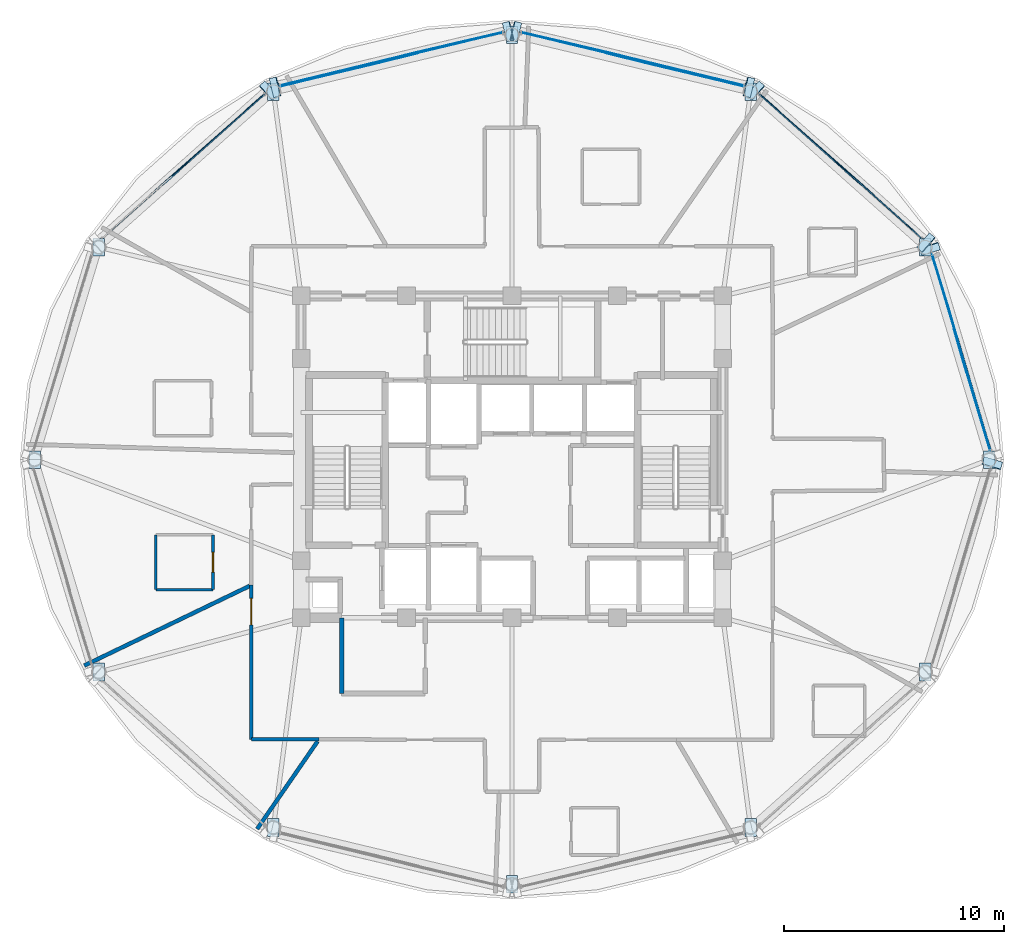
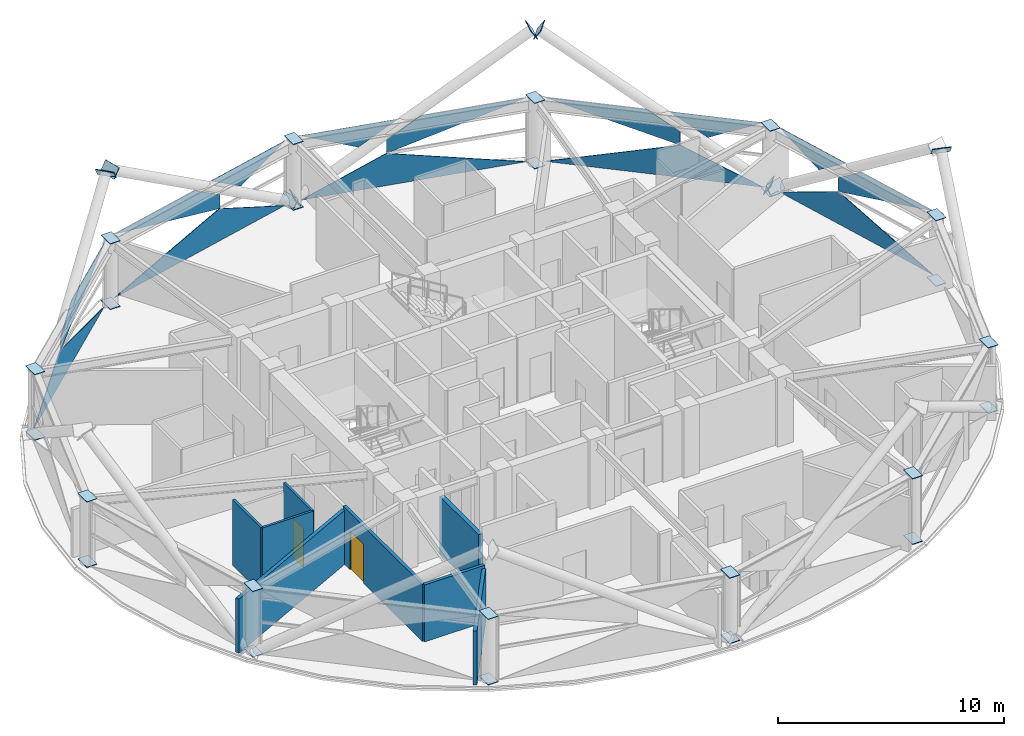
# One storey, part 21 of 29: 47 plates, 8 walls, 2 doors, 2 openings, 5 elements without a shape of their own.
"""IFC4 building model written with IfcOpenShell, lengths in metres."""

import ifcopenshell
import ifcopenshell.guid

model = None  # the IFC model being written
_history = None  # IfcOwnerHistory: only IFC2X3 demands one
_inside = {}  # id of a spatial element -> (the spatial element, [elements in it])
_under = {}  # id of a project, library or spatial element -> (it, [spatial elements below it])
_declared = {}  # id of a project -> (the project, [libraries it declares])
_typed = {}  # id of a type object -> (the type object, [elements of that type])
_made_of = {}  # id of a material, layer set ... -> (it, [elements and type objects made of it])


def new_model(schema):
    """Start an empty IFC model of exactly this schema.

    Asked for "IFC4X3", IfcOpenShell would pick the latest addendum, in which some entities
    have other attributes; the version numbers below select the first issue.
    IFC2X3 requires an IfcOwnerHistory on every rooted entity: one is made here for all.
    """
    global model, _history
    if schema == "IFC4X3":
        model = ifcopenshell.file(schema_version=(4, 3, 0, 0))
    else:
        model = ifcopenshell.file(schema=schema)
    _inside.clear()
    _under.clear()
    _declared.clear()
    _typed.clear()
    _made_of.clear()
    _history = None
    if model.schema == "IFC2X3":
        org = make("IfcOrganization", Name="unknown")
        user = make(
            "IfcPersonAndOrganization",
            ThePerson=make("IfcPerson", FamilyName="unknown"),
            TheOrganization=org,
        )
        app = make(
            "IfcApplication",
            ApplicationDeveloper=org,
            Version="unknown",
            ApplicationFullName="unknown",
            ApplicationIdentifier="unknown",
        )
        _history = make(
            "IfcOwnerHistory",
            OwningUser=user,
            OwningApplication=app,
            ChangeAction="ADDED",
            CreationDate=0,
        )
    return model


def make(cls, **values):
    """One entity of the class cls with the attributes given. An attribute that is None is left unset."""
    return model.create_entity(
        cls, **{name: value for name, value in values.items() if value is not None}
    )


def rooted(cls, **values):
    """An entity with a GlobalId (a new one), such as an element, a storey or a relation."""
    return make(cls, GlobalId=ifcopenshell.guid.new(), OwnerHistory=_history, **values)


def si_unit(unit_type, name, prefix=None):
    """IfcSIUnit, for example si_unit("LENGTHUNIT", "METRE", prefix="MILLI")."""
    return make("IfcSIUnit", UnitType=unit_type, Prefix=prefix, Name=name)


def assignment(units):
    """IfcUnitAssignment: the units of a project."""
    return None if units is None else make("IfcUnitAssignment", Units=units)


def point(xyz):
    """IfcCartesianPoint."""
    return None if xyz is None else make("IfcCartesianPoint", Coordinates=xyz)


def direction(xyz):
    """IfcDirection."""
    return None if xyz is None else make("IfcDirection", DirectionRatios=xyz)


def frame(location, z_axis=None, x_axis=None):
    """IfcAxis2Placement3D, a coordinate frame: its origin and axes. An axis left out is left unset."""
    return make(
        "IfcAxis2Placement3D",
        Location=point(location),
        Axis=direction(z_axis),
        RefDirection=direction(x_axis),
    )


def frame_2d(location, x_axis=None):
    """IfcAxis2Placement2D, a coordinate frame in the plane: its origin and x axis."""
    return make(
        "IfcAxis2Placement2D", Location=point(location), RefDirection=direction(x_axis)
    )


def origin():
    """The frame at (0, 0, 0) with its axes left unset."""
    return frame((0.0, 0.0, 0.0))


def place(relative_to, where):
    """IfcLocalPlacement: puts the frame where relative to a parent placement (None: the world)."""
    return make(
        "IfcLocalPlacement", PlacementRelTo=relative_to, RelativePlacement=where
    )


def context(
    kind, dimensions, precision=None, world=None, true_north=None, identifier=None
):
    """IfcGeometricRepresentationContext, for example the 3D "Model" context."""
    return make(
        "IfcGeometricRepresentationContext",
        ContextIdentifier=identifier,
        ContextType=kind,
        CoordinateSpaceDimension=dimensions,
        Precision=precision,
        WorldCoordinateSystem=world,
        TrueNorth=true_north,
    )


def subcontext(parent, identifier, kind, view, scale=None):
    """IfcGeometricRepresentationSubContext, for example "Body" below "Model"."""
    return make(
        "IfcGeometricRepresentationSubContext",
        ContextIdentifier=identifier,
        ContextType=kind,
        ParentContext=parent,
        TargetScale=scale,
        TargetView=view,
    )


def project(units=None, contexts=None):
    """IfcProject with its units and contexts."""
    return rooted(
        "IfcProject",
        Name="project",
        RepresentationContexts=contexts,
        UnitsInContext=assignment(units),
    )


def spatial(cls, under=None, at=None, **own):
    """A site, building, storey or space (cls), placed at a placement, below another one or the project."""
    s = rooted(cls, ObjectPlacement=at, **own)
    if under is not None:
        _under.setdefault(under.id(), (under, []))[1].append(s)
    return s


def polyline(points):
    """IfcPolyline through the points."""
    return make("IfcPolyline", Points=[point(p) for p in points])


def profile(cls, at=None, kind="AREA", **sizes):
    """A parametric profile (cls). Its sizes go by their IFC names, for example OverallWidth=200.0."""
    return make(cls, ProfileType=kind, Position=at, **sizes)


def rectangle(**sizes):
    """IfcRectangleProfileDef."""
    return profile("IfcRectangleProfileDef", **sizes)


def outline(outer, holes=None, kind="AREA"):
    """IfcArbitraryClosedProfileDef: a profile drawn as a closed curve; with holes, ...WithVoids."""
    if holes is None:
        return make("IfcArbitraryClosedProfileDef", ProfileType=kind, OuterCurve=outer)
    return make(
        "IfcArbitraryProfileDefWithVoids",
        ProfileType=kind,
        OuterCurve=outer,
        InnerCurves=holes,
    )


def extrude(swept, where, along, depth):
    """IfcExtrudedAreaSolid: the profile swept, set in the frame where, extruded along a direction by depth."""
    return make(
        "IfcExtrudedAreaSolid",
        SweptArea=swept,
        Position=where,
        ExtrudedDirection=direction(along),
        Depth=depth,
    )


def shape(context_of_items, identifier, shape_type, items):
    """IfcShapeRepresentation: the items that make up one representation, for example the "Body"."""
    return make(
        "IfcShapeRepresentation",
        ContextOfItems=context_of_items,
        RepresentationIdentifier=identifier,
        RepresentationType=shape_type,
        Items=items,
    )


def material(Name=None, Category=None):
    """IfcMaterial."""
    return make("IfcMaterial", Name=Name, Category=Category)


def layer(
    of_material, thickness, ventilated=None, Name=None, Category=None, Priority=None
):
    """IfcMaterialLayer: one layer of a wall or slab, of a material (None: an air gap)."""
    return make(
        "IfcMaterialLayer",
        Material=of_material,
        LayerThickness=thickness,
        IsVentilated=ventilated,
        Name=Name,
        Category=Category,
        Priority=Priority,
    )


def layer_set(layers, Name=None):
    """IfcMaterialLayerSet."""
    return make("IfcMaterialLayerSet", MaterialLayers=layers, LayerSetName=Name)


def made_of(thing, what):
    """Note that an element or type object is made of a material, layer set ...; save() writes the relation."""
    if what is not None:
        _made_of.setdefault(what.id(), (what, []))[1].append(thing)
    return thing


def type_object(cls, material=None, **own):
    """A type object (cls), such as IfcWallType, which elements share."""
    return made_of(rooted(cls, **own), material)


def element(
    cls,
    number,
    at=None,
    inside=None,
    cuts=None,
    type_object=None,
    material=None,
    context=None,
    identifier="Body",
    shape_type=None,
    held_by="IfcProductDefinitionShape",
    body=None,
    shapes=None,
    **own,
):
    """One element of the class cls, such as IfcWall. Its Tag is "e" and its number.

    at: its placement. inside: the storey or other place that contains it. cuts: it is an
    opening in that element (IfcRelVoidsElement). A single representation is given by context,
    identifier, shape_type and body (its items); several are given by shapes. held_by: the class
    of the entity that holds the representations. save() writes the other relations.
    """
    e = rooted(cls, Tag="e%d" % number, ObjectPlacement=at, **own)
    if body is not None:
        shapes = [shape(context, identifier, shape_type, body)]
    if shapes is not None:
        e.Representation = make(held_by, Representations=shapes)
    if inside is not None:
        _inside.setdefault(inside.id(), (inside, []))[1].append(e)
    if cuts is not None:
        rooted(
            "IfcRelVoidsElement", RelatingBuildingElement=cuts, RelatedOpeningElement=e
        )
    if type_object is not None:
        _typed.setdefault(type_object.id(), (type_object, []))[1].append(e)
    return made_of(e, material)


def fill(opening, filler):
    """IfcRelFillsElement: the door or window that sits in an opening."""
    return rooted(
        "IfcRelFillsElement",
        RelatingOpeningElement=opening,
        RelatedBuildingElement=filler,
    )


def aggregate(whole, parts):
    """IfcRelAggregates: a whole, such as a stair, and the parts it consists of."""
    return rooted("IfcRelAggregates", RelatingObject=whole, RelatedObjects=parts)


def save(model, path):
    """Write the relations noted so far, then the file.

    IfcRelAggregates (storeys below a building ...), IfcRelContainedInSpatialStructure (elements
    in a storey), IfcRelDefinesByType, IfcRelAssociatesMaterial and IfcRelDeclares: one each for
    every whole, place, type object, material and project.
    """
    for whole, parts in _under.values():
        aggregate(whole, parts)
    for where, things in _inside.values():
        rooted(
            "IfcRelContainedInSpatialStructure",
            RelatedElements=things,
            RelatingStructure=where,
        )
    for kind, things in _typed.values():
        rooted("IfcRelDefinesByType", RelatedObjects=things, RelatingType=kind)
    for what, things in _made_of.values():
        rooted("IfcRelAssociatesMaterial", RelatedObjects=things, RelatingMaterial=what)
    for by, libraries in _declared.values():
        rooted("IfcRelDeclares", RelatingContext=by, RelatedDefinitions=libraries)
    model.write(path)


model = new_model("IFC4")

# Units and contexts
model_context = context("Model", 3, precision=1e-05, world=origin(), true_north=direction((0.0, 1.0)))
body_context = subcontext(model_context, "Body", "Model", "MODEL_VIEW")
ifc_project = project(units=[si_unit("LENGTHUNIT", "METRE"), si_unit("AREAUNIT", "SQUARE_METRE"), si_unit("VOLUMEUNIT", "CUBIC_METRE"), si_unit("PLANEANGLEUNIT", "RADIAN"), si_unit("MASSUNIT", "GRAM", prefix="KILO")], contexts=[model_context])

# Site, building, storey
site_placement = place(None, origin())
site = spatial("IfcSite", under=ifc_project, at=site_placement, CompositionType="ELEMENT")
building_placement = place(site_placement, origin())
building = spatial("IfcBuilding", under=site, at=building_placement, Name="Vantalir Tower", CompositionType="ELEMENT")
storey_placement = place(building_placement, frame((0.0, 0.0, 234.89990234375)))
storey = spatial("IfcBuildingStorey", under=building, at=storey_placement, Name="L59", CompositionType="ELEMENT", Elevation=234.89990234375)

# Curtain wall, plates
ifc_material_1 = material(Name="Champagne-silver PVDF aluminium and double-silver Low-E glass", Category="aluminium")
ifc_layer_1 = layer(ifc_material_1, 0.2099609375)
ifc_layer_set_1 = layer_set([ifc_layer_1], Name="Champagne-silver PVDF aluminium and double-silver Low-E glass")
curtain_wall_type = type_object("IfcCurtainWallType", Name="CW-DIAMOND-Z3", PredefinedType="USERDEFINED", material=ifc_layer_set_1)
curtain_wall_1_placement = place(storey_placement, origin())
curtain_wall_1 = element("IfcCurtainWall", 1, at=curtain_wall_1_placement, inside=storey, type_object=curtain_wall_type, Name="L59 Quilted Pyramid-Diamond Curtain Wall S01", ObjectType="UNITISED CURTAIN WALL", PredefinedType="USERDEFINED")
ifc_material_2 = material(Name="Double-silver Low-E acoustic glass IGU", Category="glass")
ifc_layer_2 = layer(ifc_material_2, 0.031982421875)
ifc_layer_set_2 = layer_set([ifc_layer_2], Name="Double-silver Low-E acoustic glass IGU")
plate_type_1 = type_object("IfcPlateType", Name="CWP-IGU-32", PredefinedType="CURTAIN_PANEL", material=ifc_layer_set_2)
plate_1_placement = place(storey_placement, frame((53.28564453125, 25.406982421875, 0.046875), z_axis=(-0.957558411208, -0.287910660697, 0.013760108324), x_axis=(-0.287937576685, 0.957649179632, 2.6131008e-05)))
plate_1 = element("IfcPlate", 2, at=plate_1_placement, type_object=plate_type_1, Name="CW-L59-S01 Pyramid Diamond Facet 1L", PredefinedType="CURTAIN_PANEL", context=body_context, shape_type="SweptSolid", body=[
    extrude(outline(polyline([(0.0, 0.0), (9.34294709931114, 6.451002926288751e-18), (5.787888647461052, -1.7255980653286305), (0.0, 0.0)])), origin(), (0.0, 0.0, -1.0), 0.031982421875),
])
plate_2_placement = place(storey_placement, frame((53.28564453125, 25.406982421875, 3.5234375), z_axis=(0.957554424026, 0.287920028437, 0.013841324096), x_axis=(-0.287946878182, 0.957646381646, -5.5366691e-05)))
plate_2 = element("IfcPlate", 3, at=plate_2_placement, type_object=plate_type_1, Name="CW-L59-S01 Pyramid Diamond Facet 2U", PredefinedType="CURTAIN_PANEL", context=body_context, shape_type="SweptSolid", body=[
    extrude(outline(polyline([(0.0, 0.0), (4.388276431667521, -7.047314121155779e-19), (5.7879041289574085, -0.9829280015704106), (5.787938871859682, -1.7256737576179273), (0.0, 0.0)])), origin(), (0.0, 0.0, -1.0), 0.031982421875),
])
plate_3_placement = place(storey_placement, frame((51.78125, 30.53515625, 3.523681640625), z_axis=(0.957558593198, 0.287908595826, 0.013790614263), x_axis=(-0.287935977109, 0.957649660933, 0.0)))
plate_3 = element("IfcPlate", 4, at=plate_3_placement, type_object=plate_type_1, Name="CW-L59-S01 Pyramid Diamond Facet 2U Infill Light", PredefinedType="CURTAIN_PANEL", context=body_context, shape_type="SweptSolid", body=[
    extrude(outline(polyline([(0.0, 0.0), (3.998691650339341, 1.734723475976807e-18), (1.6339776898900364, -1.1478142295678426), (0.0, 0.0)])), origin(), (0.0, 0.0, -1.0), 0.031982421875),
])
aggregate(curtain_wall_1, [plate_1, plate_2, plate_3])

curtain_wall_2_placement = place(storey_placement, origin())
curtain_wall_2 = element("IfcCurtainWall", 5, at=curtain_wall_2_placement, inside=storey, type_object=curtain_wall_type, Name="L59 Quilted Pyramid-Diamond Curtain Wall S02", ObjectType="UNITISED CURTAIN WALL", PredefinedType="USERDEFINED")
plate_4_placement = place(storey_placement, frame((50.15576171875, 35.043701171875, 0.046875), z_axis=(-0.665236755959, -0.746508962569, 0.013580402283), x_axis=(-0.74657803322, 0.665297857884, -2.4682713e-05)))
plate_4 = element("IfcPlate", 6, at=plate_4_placement, type_object=plate_type_1, Name="CW-L59-S02 Pyramid Diamond Facet 1L", PredefinedType="CURTAIN_PANEL", context=body_context, shape_type="SweptSolid", body=[
    extrude(outline(polyline([(0.0, 0.0), (9.89115826583857, 6.911788849595091e-18), (3.7592573963852636, -1.7260820430112827), (0.0, 0.0)])), origin(), (0.0, 0.0, -1.0), 0.031982421875),
])
plate_5_placement = place(storey_placement, frame((46.24658203125, 38.52734375, 3.5234375), z_axis=(0.665225475626, 0.74651971664, 0.013541759334), x_axis=(-0.746588173412, 0.665286479136, -8.3778e-08)))
plate_5 = element("IfcPlate", 7, at=plate_5_placement, type_object=plate_type_1, Name="CW-L59-S02 Pyramid Diamond Facet 2U", PredefinedType="CURTAIN_PANEL", context=body_context, shape_type="SweptSolid", body=[
    extrude(outline(polyline([(0.0, 0.0), (4.6549906338773, 0.0), (-1.4768678452001516, -1.7262326273549575), (-1.4766369809513376, -0.9844657831319985), (0.0, 0.0)])), origin(), (0.0, 0.0, -1.0), 0.031982421875),
])
plate_6_placement = place(storey_placement, frame((50.1796875, 35.070556640625, 3.523681640625), z_axis=(0.665239994323, 0.746503102219, 0.013742937474), x_axis=(-0.746574132311, 0.665302233316, 5.7517268e-05)))
plate_6 = element("IfcPlate", 8, at=plate_6_placement, type_object=plate_type_1, Name="CW-L59-S02 Pyramid Diamond Facet 2U Infill Light", PredefinedType="CURTAIN_PANEL", context=body_context, shape_type="SweptSolid", body=[
    extrude(outline(polyline([(0.0, 0.0), (4.2446492255091055, 6.1257422745431e-18), (2.5134397148592487, -1.154062149885648), (0.0, 0.0)])), origin(), (0.0, 0.0, -1.0), 0.031982421875),
])
aggregate(curtain_wall_2, [plate_4, plate_5, plate_6])

curtain_wall_3_placement = place(storey_placement, origin())
curtain_wall_3 = element("IfcCurtainWall", 9, at=curtain_wall_3_placement, inside=storey, type_object=curtain_wall_type, Name="L59 Quilted Pyramid-Diamond Curtain Wall S03", ObjectType="UNITISED CURTAIN WALL", PredefinedType="USERDEFINED")
plate_7_placement = place(storey_placement, frame((42.040771484375, 42.005615234375, 0.046630859375), z_axis=(-0.23227086659, -0.972552131401, 0.013877904746), x_axis=(-0.972645724011, 0.232293553536, 2.3447416e-05)))
plate_7 = element("IfcPlate", 10, at=plate_7_placement, type_object=plate_type_1, Name="CW-L59-S03 Pyramid Diamond Facet 1L", PredefinedType="CURTAIN_PANEL", context=body_context, shape_type="SweptSolid", body=[
    extrude(outline(polyline([(0.0, 0.0), (10.412261274836561, 3.848917712323541e-18), (6.450611114639487, -1.7263333603476525), (0.0, 0.0)])), origin(), (0.0, 0.0, -1.0), 0.031982421875),
])
plate_8_placement = place(storey_placement, frame((42.040771484375, 42.005615234375, 3.523681640625), z_axis=(0.232291461717, 0.972548459607, 0.013790233126), x_axis=(-0.972640787118, 0.232314219874, -4.9782946e-05)))
plate_8 = element("IfcPlate", 11, at=plate_8_placement, type_object=plate_type_1, Name="CW-L59-S03 Pyramid Diamond Facet 2U", PredefinedType="CURTAIN_PANEL", context=body_context, shape_type="SweptSolid", body=[
    extrude(outline(polyline([(0.0, 0.0), (4.908716553637387, -5.963111948670274e-19), (6.4506691493381725, -0.9802408287929192), (6.45065707952444, -1.726161598884455), (0.0, 0.0)])), origin(), (0.0, 0.0, -1.0), 0.031982421875),
])
plate_9_placement = place(storey_placement, frame((36.27783203125, 43.4189453125, 3.52392578125), z_axis=(0.232250715399, 0.972556540945, 0.013906108766), x_axis=(-0.972650413475, 0.232273912, -5.4511596e-05)))
plate_9 = element("IfcPlate", 12, at=plate_9_placement, type_object=plate_type_1, Name="CW-L59-S03 Pyramid Diamond Facet 2U Infill Light", PredefinedType="CURTAIN_PANEL", context=body_context, shape_type="SweptSolid", body=[
    extrude(outline(polyline([(0.0, 0.0), (4.478691533489863, -1.111307226797642e-18), (1.8214395537930843, -1.1579716661312722), (0.0, 0.0)])), origin(), (0.0, 0.0, -1.0), 0.031982421875),
])
aggregate(curtain_wall_3, [plate_7, plate_8, plate_9])

curtain_wall_4_placement = place(storey_placement, origin())
curtain_wall_4 = element("IfcCurtainWall", 13, at=curtain_wall_4_placement, inside=storey, type_object=curtain_wall_type, Name="L59 Quilted Pyramid-Diamond Curtain Wall S04", ObjectType="UNITISED CURTAIN WALL", PredefinedType="USERDEFINED")
plate_10_placement = place(storey_placement, frame((31.086669921875, 44.42431640625, 0.046875), z_axis=(0.23227086659, -0.972552131401, 0.013877904746), x_axis=(-0.972645724011, -0.232293553536, -2.3447416e-05)))
plate_10 = element("IfcPlate", 14, at=plate_10_placement, type_object=plate_type_1, Name="CW-L59-S04 Pyramid Diamond Facet 1L", PredefinedType="CURTAIN_PANEL", context=body_context, shape_type="SweptSolid", body=[
    extrude(outline(polyline([(0.0, 0.0), (10.412261274836561, -3.848917712323541e-18), (3.9616501601970775, -1.7263333603476525), (0.0, 0.0)])), origin(), (0.0, 0.0, -1.0), 0.031982421875),
])
plate_11_placement = place(storey_placement, frame((25.733642578125, 43.14599609375, 3.5234375), z_axis=(-0.232291461717, 0.972548459607, 0.013790233126), x_axis=(-0.972640787118, -0.232314219874, 4.9782946e-05)))
plate_11 = element("IfcPlate", 15, at=plate_11_placement, type_object=plate_type_1, Name="CW-L59-S04 Pyramid Diamond Facet 2U", PredefinedType="CURTAIN_PANEL", context=body_context, shape_type="SweptSolid", body=[
    extrude(outline(polyline([(0.0, 0.0), (4.908716553637387, 5.963111948670274e-19), (-1.5419405258870538, -1.726161598884455), (-1.5419525957007851, -0.9802408287929192), (0.0, 0.0)])), origin(), (0.0, 0.0, -1.0), 0.031982421875),
])
plate_12_placement = place(storey_placement, frame((31.078369140625, 44.459228515625, 3.523681640625), z_axis=(-0.232250715399, 0.972556540945, 0.013906108766), x_axis=(-0.972650413475, -0.232273912, 5.4511596e-05)))
plate_12 = element("IfcPlate", 16, at=plate_12_placement, type_object=plate_type_1, Name="CW-L59-S04 Pyramid Diamond Facet 2U Infill Light", PredefinedType="CURTAIN_PANEL", context=body_context, shape_type="SweptSolid", body=[
    extrude(outline(polyline([(0.0, 0.0), (4.478691533489863, 1.111307226797642e-18), (2.657251979696779, -1.1579716661312722), (0.0, 0.0)])), origin(), (0.0, 0.0, -1.0), 0.031982421875),
])
aggregate(curtain_wall_4, [plate_10, plate_11, plate_12])

curtain_wall_5_placement = place(storey_placement, origin())
curtain_wall_5 = element("IfcCurtainWall", 17, at=curtain_wall_5_placement, inside=storey, type_object=curtain_wall_type, Name="L59 Quilted Pyramid-Diamond Curtain Wall S05", ObjectType="UNITISED CURTAIN WALL", PredefinedType="USERDEFINED")
plate_13_placement = place(storey_placement, frame((20.228759765625, 41.624267578125, 0.046630859375), z_axis=(0.665236755959, -0.746508962569, 0.013580402283), x_axis=(-0.74657803322, -0.665297857884, 2.4682713e-05)))
plate_13 = element("IfcPlate", 18, at=plate_13_placement, type_object=plate_type_1, Name="CW-L59-S05 Pyramid Diamond Facet 1L", PredefinedType="CURTAIN_PANEL", context=body_context, shape_type="SweptSolid", body=[
    extrude(outline(polyline([(0.0, 0.0), (9.89115826583857, -6.911788849595091e-18), (6.131900869453306, -1.7260820430112827), (0.0, 0.0)])), origin(), (0.0, 0.0, -1.0), 0.031982421875),
])
plate_14_placement = place(storey_placement, frame((20.228759765625, 41.624267578125, 3.5234375), z_axis=(-0.665225475626, 0.74651971664, 0.013541759334), x_axis=(-0.746588173412, -0.665286479136, 8.3778e-08)))
plate_14 = element("IfcPlate", 19, at=plate_14_placement, type_object=plate_type_1, Name="CW-L59-S05 Pyramid Diamond Facet 2U", PredefinedType="CURTAIN_PANEL", context=body_context, shape_type="SweptSolid", body=[
    extrude(outline(polyline([(0.0, 0.0), (4.6549906338773, 0.0), (6.131627614828638, -0.9844657831319985), (6.131858479077452, -1.7262326273549577), (0.0, 0.0)])), origin(), (0.0, 0.0, -1.0), 0.031982421875),
])
aggregate(curtain_wall_5, [plate_13, plate_14])

# Plates
ifc_material_3 = material(Name="Steel S460", Category="steel")
ifc_layer_3 = layer(ifc_material_3, 0.035888671875)
ifc_layer_set_3 = layer_set([ifc_layer_3], Name="Steel S460")
plate_type_2 = type_object("IfcPlateType", Name="PLT-KN-Z2", PredefinedType="USERDEFINED", material=ifc_layer_set_3)
plate_15_placement = place(storey_placement, frame((50.50390625, 35.32275390625, -0.03466796875), z_axis=(-0.621082817817, 0.553458415877, 0.55492334183), x_axis=(-0.665293215937, -0.746582170178, 0.0)))
element("IfcPlate", 20, at=plate_15_placement, inside=storey, type_object=plate_type_2, Name="Node Cap Plate MEM-DG-L59-R04L Start", ObjectType="FLANGE_PLATE", PredefinedType="USERDEFINED", context=body_context, shape_type="SweptSolid", body=[
    extrude(outline(polyline([(0.0, 0.0), (0.8799867558024528, 0.0), (0.8800121558913103, 0.5799026475163249), (2.5400088857457925e-05, 0.5799026475163249), (0.0, 0.0)])), origin(), (0.0, 0.0, -1.0), 0.035888671875),
])
plate_16_placement = place(storey_placement, frame((42.745849609375, 42.236328125, 6.892333984375), z_axis=(-0.62117955656, 0.553544621564, 0.554729042371), x_axis=(-0.665293215937, -0.746582170178, 0.0)))
element("IfcPlate", 21, at=plate_16_placement, inside=storey, type_object=plate_type_2, Name="Node Cap Plate MEM-DG-L59-R04L End", ObjectType="FLANGE_PLATE", PredefinedType="USERDEFINED", context=body_context, shape_type="SweptSolid", body=[
    extrude(outline(polyline([(0.0, 0.0), (0.8799867558024528, 2.7755575615628914e-17), (0.8800121558913103, 0.5801057642854794), (2.540008885744306e-05, 0.5801057642854794), (0.0, 0.0)])), origin(), (0.0, 0.0, -1.0), 0.035888671875),
])
plate_17_placement = place(storey_placement, frame((50.1533203125, 34.2958984375, -0.026123046875), z_axis=(0.235621882188, -0.783590305696, 0.574863950386), x_axis=(0.957642842649, 0.287958653149, 0.0)))
element("IfcPlate", 22, at=plate_17_placement, inside=storey, type_object=plate_type_2, Name="Node Cap Plate MEM-DG-L59-R04R Start", ObjectType="FLANGE_PLATE", PredefinedType="USERDEFINED", context=body_context, shape_type="SweptSolid", body=[
    extrude(outline(polyline([(0.0, 0.0), (0.8800498473614676, 2.7755575615628914e-17), (0.8801221816284537, 0.5800304926170371), (7.233426698608567e-05, 0.5800304926170371), (0.0, 0.0)])), origin(), (0.0, 0.0, -1.0), 0.035888671875),
])
plate_18_placement = place(storey_placement, frame((31.059326171875, 44.8701171875, -0.042236328125), z_axis=(-0.820799205877, -0.195952348922, 0.536555067615), x_axis=(0.232208086854, -0.972666132031, 0.0)))
element("IfcPlate", 23, at=plate_18_placement, inside=storey, type_object=plate_type_2, Name="Node Cap Plate MEM-DG-L59-R10L Start", ObjectType="FLANGE_PLATE", PredefinedType="USERDEFINED", context=body_context, shape_type="SweptSolid", body=[
    extrude(outline(polyline([(0.0, 0.0), (0.8800111395499287, 0.0), (0.8800181836460521, 0.5800711891025546), (7.0440961233847466e-06, 0.5800711891025546), (0.0, 0.0)])), origin(), (0.0, 0.0, -1.0), 0.035888671875),
])
plate_19_placement = place(storey_placement, frame((20.449951171875, 42.33642578125, 6.892333984375), z_axis=(-0.820862900959, -0.196084620523, 0.536409283498), x_axis=(0.232377070851, -0.972625772439, 6.1074625e-05)))
element("IfcPlate", 24, at=plate_19_placement, inside=storey, type_object=plate_type_2, Name="Node Cap Plate MEM-DG-L59-R10L End", ObjectType="FLANGE_PLATE", PredefinedType="USERDEFINED", context=body_context, shape_type="SweptSolid", body=[
    extrude(outline(polyline([(0.0, 0.0), (0.8800678573106301, 0.0), (0.8801021387477319, 0.579943801886197), (9.101412041512781e-05, 0.5800711733505308), (0.0, 0.0)])), origin(), (0.0, 0.0, -1.0), 0.035888671875),
])
plate_20_placement = place(storey_placement, frame((31.736328125, 44.01416015625, -0.042236328125), z_axis=(0.820799205877, -0.195952348922, 0.536555067615), x_axis=(0.232208086854, 0.972666132031, 0.0)))
element("IfcPlate", 25, at=plate_20_placement, inside=storey, type_object=plate_type_2, Name="Node Cap Plate MEM-DG-L59-R10R Start", ObjectType="FLANGE_PLATE", PredefinedType="USERDEFINED", context=body_context, shape_type="SweptSolid", body=[
    extrude(outline(polyline([(0.0, 0.0), (0.8800111395499287, 0.0), (0.8800040954538053, 0.5800711891025546), (-7.0440961233847466e-06, 0.5800711891025546), (0.0, 0.0)])), origin(), (0.0, 0.0, -1.0), 0.035888671875),
])
plate_21_placement = place(storey_placement, frame((42.345458984375, 41.48046875, 6.892333984375), z_axis=(0.820862900959, -0.196084620523, 0.536409283498), x_axis=(0.232377070851, 0.972625772439, -6.1074625e-05)))
element("IfcPlate", 26, at=plate_21_placement, inside=storey, type_object=plate_type_2, Name="Node Cap Plate MEM-DG-L59-R10R End", ObjectType="FLANGE_PLATE", PredefinedType="USERDEFINED", context=body_context, shape_type="SweptSolid", body=[
    extrude(outline(polyline([(0.0, 0.0), (0.8800678573106301, 0.0), (0.879976843190215, 0.5800711733505307), (-3.428143710181531e-05, 0.579943801886197), (0.0, 0.0)])), origin(), (0.0, 0.0, -1.0), 0.035888671875),
])
plate_22_placement = place(storey_placement, frame((20.839599609375, 41.579345703125, 6.892333984375), z_axis=(0.62117955656, 0.553544621564, 0.554729042371), x_axis=(-0.665293215937, 0.746582170178, 0.0)))
element("IfcPlate", 27, at=plate_22_placement, inside=storey, type_object=plate_type_2, Name="Node Cap Plate MEM-DG-L59-R16R End", ObjectType="FLANGE_PLATE", PredefinedType="USERDEFINED", context=body_context, shape_type="SweptSolid", body=[
    extrude(outline(polyline([(0.0, 0.0), (0.8799867558024528, -2.7755575615628914e-17), (0.8799613557135955, 0.5801057642854794), (-2.540008885744306e-05, 0.5801057642854794), (0.0, 0.0)])), origin(), (0.0, 0.0, -1.0), 0.035888671875),
])
plate_23_placement = place(storey_placement, frame((53.83203125, 24.882568359375, 6.892333984375), z_axis=(0.235568166565, 0.783675688578, 0.574769566029), x_axis=(-0.957678429047, 0.287840276242, 4.371318e-05)))
element("IfcPlate", 28, at=plate_23_placement, inside=storey, type_object=plate_type_2, Name="Node Cap Plate MEM-DG-L59-R34L End", ObjectType="FLANGE_PLATE", PredefinedType="USERDEFINED", context=body_context, shape_type="SweptSolid", body=[
    extrude(outline(polyline([(0.0, 0.0), (0.8797457580821373, -2.7755575615628914e-17), (0.8800394686335802, 0.579936487526554), (-1.0371163715546277e-05, 0.580030493175672), (0.0, 0.0)])), origin(), (0.0, 0.0, -1.0), 0.035888671875),
])
ifc_layer_4 = layer(ifc_material_3, 0.031982421875)
ifc_layer_set_4 = layer_set([ifc_layer_4], Name="Steel S460")
plate_type_3 = type_object("IfcPlateType", Name="PLT-KN-Z3", PredefinedType="USERDEFINED", material=ifc_layer_set_4)
for number, where, z_axis, x_axis, name in (
    (29, (52.9580078125, 25.39990234375, 3.593994140625), (0.0, 0.0, 1.0), (0.0, -1.0, 0.0), "L59 Ring Column Top Cap RC01"),
    (30, (52.9580078125, 25.39990234375, 0.052978515625), (0.0, 0.0, 1.0), (0.0, -1.0, 0.0), "L59 Ring Column Base Cap RC01"),
    (31, (50.048095703125, 35.06591796875, 3.593994140625), (0.0, 0.0, 1.0), (0.0, -1.0, 0.0), "L59 Ring Column Top Cap RC02"),
    (32, (50.048095703125, 35.06591796875, 0.052978515625), (0.0, 0.0, 1.0), (0.0, -1.0, 0.0), "L59 Ring Column Base Cap RC02"),
):
    element("IfcPlate", number, at=place(storey_placement, frame(where, z_axis=z_axis, x_axis=x_axis)), inside=storey, type_object=plate_type_3, Name=name, ObjectType="FLANGE_PLATE", PredefinedType="USERDEFINED", context=body_context, shape_type="SweptSolid", body=[
        extrude(outline(polyline([(0.0, 0.0), (0.7998046875, 0.0), (0.7998046875, 0.52001953125), (0.0, 0.52001953125), (0.0, 0.0)])), origin(), (0.0, 0.0, -1.0), 0.031982421875),
    ])
for number, where, z_axis, x_axis, name in (
    (33, (42.09912109375, 42.14306640625, 3.593994140625), (0.0, 0.0, 1.0), (0.0, -1.0, 0.0), "L59 Ring Column Top Cap RC03"),
    (34, (42.09912109375, 42.14306640625, 0.052978515625), (0.0, 0.0, 1.0), (0.0, -1.0, 0.0), "L59 Ring Column Base Cap RC03"),
):
    element("IfcPlate", number, at=place(storey_placement, frame(where, z_axis=z_axis, x_axis=x_axis)), inside=storey, type_object=plate_type_3, Name=name, ObjectType="FLANGE_PLATE", PredefinedType="USERDEFINED", context=body_context, shape_type="SweptSolid", body=[
        extrude(outline(polyline([(0.0, 0.0), (0.800048828125, 0.0), (0.800048828125, 0.519775390625), (0.0, 0.519775390625), (0.0, 0.0)])), origin(), (0.0, 0.0, -1.0), 0.031982421875),
    ])
for number, where, z_axis, x_axis, name in (
    (35, (31.239990234375, 44.73291015625, 3.593994140625), (0.0, 0.0, 1.0), (0.0, -1.0, 0.0), "L59 Ring Column Top Cap RC04"),
    (36, (31.239990234375, 44.73291015625, 0.052978515625), (0.0, 0.0, 1.0), (0.0, -1.0, 0.0), "L59 Ring Column Base Cap RC04"),
):
    element("IfcPlate", number, at=place(storey_placement, frame(where, z_axis=z_axis, x_axis=x_axis)), inside=storey, type_object=plate_type_3, Name=name, ObjectType="FLANGE_PLATE", PredefinedType="USERDEFINED", context=body_context, shape_type="SweptSolid", body=[
        extrude(outline(polyline([(0.0, 0.0), (0.7998046875, 0.0), (0.7998046875, 0.52001953125), (0.0, 0.52001953125), (0.0, 0.0)])), origin(), (0.0, 0.0, -1.0), 0.031982421875),
    ])
for number, where, z_axis, x_axis, name in (
    (37, (20.381103515625, 42.14306640625, 3.593994140625), (0.0, 0.0, 1.0), (0.0, -1.0, 0.0), "L59 Ring Column Top Cap RC05"),
    (38, (20.381103515625, 42.14306640625, 0.052978515625), (0.0, 0.0, 1.0), (0.0, -1.0, 0.0), "L59 Ring Column Base Cap RC05"),
):
    element("IfcPlate", number, at=place(storey_placement, frame(where, z_axis=z_axis, x_axis=x_axis)), inside=storey, type_object=plate_type_3, Name=name, ObjectType="FLANGE_PLATE", PredefinedType="USERDEFINED", context=body_context, shape_type="SweptSolid", body=[
        extrude(outline(polyline([(0.0, 0.0), (0.800048828125, 0.0), (0.800048828125, 0.519775390625), (0.0, 0.519775390625), (0.0, 0.0)])), origin(), (0.0, 0.0, -1.0), 0.031982421875),
    ])
for number, where, z_axis, x_axis, name in (
    (39, (12.431884765625, 35.06591796875, 3.593994140625), (0.0, 0.0, 1.0), (0.0, -1.0, 0.0), "L59 Ring Column Top Cap RC06"),
    (40, (12.431884765625, 35.06591796875, 0.052978515625), (0.0, 0.0, 1.0), (0.0, -1.0, 0.0), "L59 Ring Column Base Cap RC06"),
    (41, (9.52197265625, 25.39990234375, 3.593994140625), (0.0, 0.0, 1.0), (0.0, -1.0, 0.0), "L59 Ring Column Top Cap RC07"),
    (42, (9.52197265625, 25.39990234375, 0.052978515625), (0.0, 0.0, 1.0), (0.0, -1.0, 0.0), "L59 Ring Column Base Cap RC07"),
    (43, (12.431884765625, 15.73291015625, 3.593994140625), (0.0, 0.0, 1.0), (0.0, -1.0, 0.0), "L59 Ring Column Top Cap RC08"),
    (44, (12.431884765625, 15.73291015625, 0.052978515625), (0.0, 0.0, 1.0), (0.0, -1.0, 0.0), "L59 Ring Column Base Cap RC08"),
):
    element("IfcPlate", number, at=place(storey_placement, frame(where, z_axis=z_axis, x_axis=x_axis)), inside=storey, type_object=plate_type_3, Name=name, ObjectType="FLANGE_PLATE", PredefinedType="USERDEFINED", context=body_context, shape_type="SweptSolid", body=[
        extrude(outline(polyline([(0.0, 0.0), (0.7998046875, 0.0), (0.7998046875, 0.52001953125), (0.0, 0.52001953125), (0.0, 0.0)])), origin(), (0.0, 0.0, -1.0), 0.031982421875),
    ])
for number, where, z_axis, x_axis, name in (
    (45, (20.381103515625, 8.656982421875, 3.593994140625), (0.0, 0.0, 1.0), (0.0, -1.0, 0.0), "L59 Ring Column Top Cap RC09"),
    (46, (20.381103515625, 8.656982421875, 0.052978515625), (0.0, 0.0, 1.0), (0.0, -1.0, 0.0), "L59 Ring Column Base Cap RC09"),
):
    element("IfcPlate", number, at=place(storey_placement, frame(where, z_axis=z_axis, x_axis=x_axis)), inside=storey, type_object=plate_type_3, Name=name, ObjectType="FLANGE_PLATE", PredefinedType="USERDEFINED", context=body_context, shape_type="SweptSolid", body=[
        extrude(outline(polyline([(0.0, 0.0), (0.800048828125, 0.0), (0.800048828125, 0.519775390625), (0.0, 0.519775390625), (0.0, 0.0)])), origin(), (0.0, 0.0, -1.0), 0.031982421875),
    ])
for number, where, z_axis, x_axis, name in (
    (47, (31.239990234375, 6.06689453125, 3.593994140625), (0.0, 0.0, 1.0), (0.0, -1.0, 0.0), "L59 Ring Column Top Cap RC10"),
    (48, (31.239990234375, 6.06689453125, 0.052978515625), (0.0, 0.0, 1.0), (0.0, -1.0, 0.0), "L59 Ring Column Base Cap RC10"),
):
    element("IfcPlate", number, at=place(storey_placement, frame(where, z_axis=z_axis, x_axis=x_axis)), inside=storey, type_object=plate_type_3, Name=name, ObjectType="FLANGE_PLATE", PredefinedType="USERDEFINED", context=body_context, shape_type="SweptSolid", body=[
        extrude(outline(polyline([(0.0, 0.0), (0.7998046875, 0.0), (0.7998046875, 0.52001953125), (0.0, 0.52001953125), (0.0, 0.0)])), origin(), (0.0, 0.0, -1.0), 0.031982421875),
    ])
for number, where, z_axis, x_axis, name in (
    (49, (42.09912109375, 8.656982421875, 3.593994140625), (0.0, 0.0, 1.0), (0.0, -1.0, 0.0), "L59 Ring Column Top Cap RC11"),
    (50, (42.09912109375, 8.656982421875, 0.052978515625), (0.0, 0.0, 1.0), (0.0, -1.0, 0.0), "L59 Ring Column Base Cap RC11"),
):
    element("IfcPlate", number, at=place(storey_placement, frame(where, z_axis=z_axis, x_axis=x_axis)), inside=storey, type_object=plate_type_3, Name=name, ObjectType="FLANGE_PLATE", PredefinedType="USERDEFINED", context=body_context, shape_type="SweptSolid", body=[
        extrude(outline(polyline([(0.0, 0.0), (0.800048828125, 0.0), (0.800048828125, 0.519775390625), (0.0, 0.519775390625), (0.0, 0.0)])), origin(), (0.0, 0.0, -1.0), 0.031982421875),
    ])
for number, where, z_axis, x_axis, name in (
    (51, (50.048095703125, 15.73291015625, 3.593994140625), (0.0, 0.0, 1.0), (0.0, -1.0, 0.0), "L59 Ring Column Top Cap RC12"),
    (52, (50.048095703125, 15.73291015625, 0.052978515625), (0.0, 0.0, 1.0), (0.0, -1.0, 0.0), "L59 Ring Column Base Cap RC12"),
):
    element("IfcPlate", number, at=place(storey_placement, frame(where, z_axis=z_axis, x_axis=x_axis)), inside=storey, type_object=plate_type_3, Name=name, ObjectType="FLANGE_PLATE", PredefinedType="USERDEFINED", context=body_context, shape_type="SweptSolid", body=[
        extrude(outline(polyline([(0.0, 0.0), (0.7998046875, 0.0), (0.7998046875, 0.52001953125), (0.0, 0.52001953125), (0.0, 0.0)])), origin(), (0.0, 0.0, -1.0), 0.031982421875),
    ])

# Walls
ifc_material_4 = material(Name="Moisture-resistant en-suite partition", Category="gypsum")
ifc_layer_5 = layer(ifc_material_4, 0.125)
ifc_layer_set_5 = layer_set([ifc_layer_5], Name="Moisture-resistant en-suite partition")
wall_type_1 = type_object("IfcWallType", Name="WL-BATH-125", PredefinedType="PARTITIONING", material=ifc_layer_set_5)
wall_1_placement = place(storey_placement, frame((15.2900390625, 19.077880859375, 0.0), z_axis=(0.0, 0.0, 1.0), x_axis=(1.0, 0.0, 0.0)))
element("IfcWall", 53, at=wall_1_placement, inside=storey, type_object=wall_type_1, Name="L59 En-suite 06 South Wall", PredefinedType="PARTITIONING", context=body_context, shape_type="SweptSolid", body=[
    extrude(rectangle(XDim=2.599853515625, YDim=0.125, at=frame_2d((1.2998046875, 0.0))), origin(), (0.0, 0.0, 1.0), 3.550048828125),
])
wall_2_placement = place(storey_placement, frame((15.2900390625, 19.077880859375, 0.0), z_axis=(0.0, 0.0, 1.0), x_axis=(0.0, 1.0, 0.0)))
element("IfcWall", 54, at=wall_2_placement, inside=storey, type_object=wall_type_1, Name="L59 En-suite 06 West Wall", PredefinedType="PARTITIONING", context=body_context, shape_type="SweptSolid", body=[
    extrude(rectangle(XDim=2.5, YDim=0.125, at=frame_2d((1.25, 0.0))), origin(), (0.0, 0.0, 1.0), 3.550048828125),
])

# Wall, opening, door
wall_3_placement = place(storey_placement, frame((17.889892578125, 19.077880859375, 0.0), z_axis=(0.0, 0.0, 1.0), x_axis=(0.0, 1.0, 0.0)))
wall_3 = element("IfcWall", 55, at=wall_3_placement, inside=storey, type_object=wall_type_1, Name="L59 En-suite 06 East Wall", PredefinedType="PARTITIONING", context=body_context, shape_type="SweptSolid", body=[
    extrude(rectangle(XDim=2.5, YDim=0.125, at=frame_2d((1.25, 0.0))), origin(), (0.0, 0.0, 1.0), 3.550048828125),
])
opening_1_placement = place(wall_3_placement, frame((0.800048828125, 0.0, 0.0)))
opening_1 = element("IfcOpeningElement", 56, at=opening_1_placement, cuts=wall_3, Name="Opening D-WC", PredefinedType="OPENING", context=body_context, shape_type="SweptSolid", body=[
    extrude(rectangle(XDim=0.89990234375, YDim=2.10009765625, at=frame_2d((0.449951171875, 1.050048828125))), frame((0.0, 0.072509765625, 0.0), z_axis=(0.0, -1.0, 0.0), x_axis=(1.0, 0.0, 0.0)), (0.0, 0.0, 1.0), 0.14501953125),
])
ifc_material_5 = material(Name="Moisture-resistant hardwood door", Category="wood")
door_type_1 = type_object("IfcDoorType", Name="DR-ENSUITE-900", OperationType="NOTDEFINED", PredefinedType="DOOR", material=ifc_material_5)
door_1_placement = place(opening_1_placement, origin())
door_1 = element("IfcDoor", 57, at=door_1_placement, inside=storey, type_object=door_type_1, Name="L59 En-suite 06 Door", OperationType="SINGLE_SWING_RIGHT", OverallHeight=2.10009765625, OverallWidth=0.89990234375, PredefinedType="DOOR", context=body_context, shape_type="SweptSolid", body=[
    extrude(rectangle(XDim=0.89990234375, YDim=2.10009765625, at=frame_2d((0.449951171875, 1.050048828125))), frame((0.0, 0.02490234375, 0.0), z_axis=(0.0, -1.0, 0.0), x_axis=(1.0, 0.0, 0.0)), (0.0, 0.0, 1.0), 0.050048828125),
])
fill(opening_1, door_1)

# Wall
ifc_material_6 = material(Name="Fire-rated hotel corridor acoustic partition", Category="gypsum")
ifc_layer_6 = layer(ifc_material_6, 0.159912109375)
ifc_layer_set_6 = layer_set([ifc_layer_6], Name="Fire-rated hotel corridor acoustic partition")
wall_type_2 = type_object("IfcWallType", Name="WL-CORR-160", PredefinedType="PARTITIONING", material=ifc_layer_set_6)
wall_4_placement = place(storey_placement, frame((22.712890625, 12.264892578125, 0.0), z_axis=(0.0, 0.0, 1.0), x_axis=(-0.999998027558, 0.001986172296, 0.0)))
element("IfcWall", 58, at=wall_4_placement, inside=storey, type_object=wall_type_2, Name="L59 Corridor Partition 27", PredefinedType="PARTITIONING", context=body_context, shape_type="SweptSolid", body=[
    extrude(rectangle(XDim=3.072998046875, YDim=0.159912109375, at=frame_2d((1.53662109375, 0.0))), origin(), (0.0, 0.0, 1.0), 3.0810546875),
])

# Wall, opening, door
wall_5_placement = place(storey_placement, frame((19.639892578125, 12.27099609375, 0.0), z_axis=(0.0, 0.0, 1.0), x_axis=(-0.000417507444, 0.999999912844, 0.0)))
wall_5 = element("IfcWall", 59, at=wall_5_placement, inside=storey, type_object=wall_type_2, Name="L59 Corridor Partition 28", PredefinedType="PARTITIONING", context=body_context, shape_type="SweptSolid", body=[
    extrude(rectangle(XDim=7.01708984375, YDim=0.159912109375, at=frame_2d((3.508544921875, 0.0))), origin(), (0.0, 0.0, 1.0), 3.0810546875),
])
opening_2_placement = place(wall_5_placement, frame((5.2109375, 0.0, 0.0)))
opening_2 = element("IfcOpeningElement", 60, at=opening_2_placement, cuts=wall_5, Name="Opening D-STE", PredefinedType="OPENING", context=body_context, shape_type="SweptSolid", body=[
    extrude(rectangle(XDim=1.199951171875, YDim=2.10009765625, at=frame_2d((0.60009765625, 1.050048828125))), frame((0.0, 0.08984375, 0.0), z_axis=(0.0, -1.0, 0.0), x_axis=(1.0, 0.0, 0.0)), (0.0, 0.0, 1.0), 0.179931640625),
])
ifc_material_7 = material(Name="Solid-core teak veneer suite entrance door", Category="wood")
door_type_2 = type_object("IfcDoorType", Name="DR-SUITE-ENTRY-1200", OperationType="NOTDEFINED", PredefinedType="DOOR", material=ifc_material_7)
door_2_placement = place(opening_2_placement, origin())
door_2 = element("IfcDoor", 61, at=door_2_placement, inside=storey, type_object=door_type_2, Name="L59 Club Reading Lounge 07 Door", OperationType="SINGLE_SWING_LEFT", OverallHeight=2.10009765625, OverallWidth=1.199951171875, PredefinedType="DOOR", context=body_context, shape_type="SweptSolid", body=[
    extrude(rectangle(XDim=1.199951171875, YDim=2.10009765625, at=frame_2d((0.60009765625, 1.050048828125))), frame((0.0, 0.02490234375, 0.0), z_axis=(0.0, -1.0, 0.0), x_axis=(1.0, 0.0, 0.0)), (0.0, 0.0, 1.0), 0.050048828125),
])
fill(opening_2, door_2)

# Walls
ifc_material_8 = material(Name="Concrete blockwork with fireboard lining", Category="masonry")
ifc_layer_7 = layer(ifc_material_8, 0.219970703125)
ifc_layer_set_7 = layer_set([ifc_layer_7], Name="Concrete blockwork with fireboard lining")
wall_type_3 = type_object("IfcWallType", Name="WL-FFL-220", PredefinedType="PARTITIONING", material=ifc_layer_set_7)
wall_6_placement = place(storey_placement, frame((23.75, 14.35009765625, 0.0), z_axis=(0.0, 0.0, 1.0), x_axis=(0.0, 1.0, 0.0)))
element("IfcWall", 62, at=wall_6_placement, inside=storey, type_object=wall_type_3, Name="L59 Firefighting Lobby West Outer W", PredefinedType="PARTITIONING", context=body_context, shape_type="SweptSolid", body=[
    extrude(rectangle(XDim=3.449951171875, YDim=0.219970703125, at=frame_2d((1.72509765625, 0.0))), origin(), (0.0, 0.0, 1.0), 3.0810546875),
])
ifc_material_9 = material(Name="Twin-stud acoustic fire-rated gypsum partition", Category="gypsum")
ifc_layer_8 = layer(ifc_material_9, 0.179931640625)
ifc_layer_set_8 = layer_set([ifc_layer_8], Name="Twin-stud acoustic fire-rated gypsum partition")
wall_type_4 = type_object("IfcWallType", Name="WL-GUEST-180", PredefinedType="PARTITIONING", material=ifc_layer_set_8)
wall_7_placement = place(storey_placement, frame((19.56005859375, 19.25, 0.0), z_axis=(0.0, 0.0, 1.0), x_axis=(-0.900984326042, -0.433851638497, 0.0)))
element("IfcWall", 63, at=wall_7_placement, inside=storey, type_object=wall_type_4, Name="L59 Radial Suite Partition 07", PredefinedType="PARTITIONING", context=body_context, shape_type="SweptSolid", body=[
    extrude(rectangle(XDim=8.35546875, YDim=0.179931640625, at=frame_2d((4.177734375, 0.0))), origin(), (0.0, 0.0, 1.0), 2.925048828125),
])
wall_8_placement = place(storey_placement, frame((22.65087890625, 12.175048828125, 0.0), z_axis=(0.0, 0.0, 1.0), x_axis=(-0.567963879419, -0.823053480447, 0.0)))
element("IfcWall", 64, at=wall_8_placement, inside=storey, type_object=wall_type_4, Name="L59 Radial Suite Partition 08", PredefinedType="PARTITIONING", context=body_context, shape_type="SweptSolid", body=[
    extrude(rectangle(XDim=4.841796875, YDim=0.179931640625, at=frame_2d((2.4208984375, 0.0))), origin(), (0.0, 0.0, 1.0), 2.925048828125),
])

save(model, "model.ifc")
